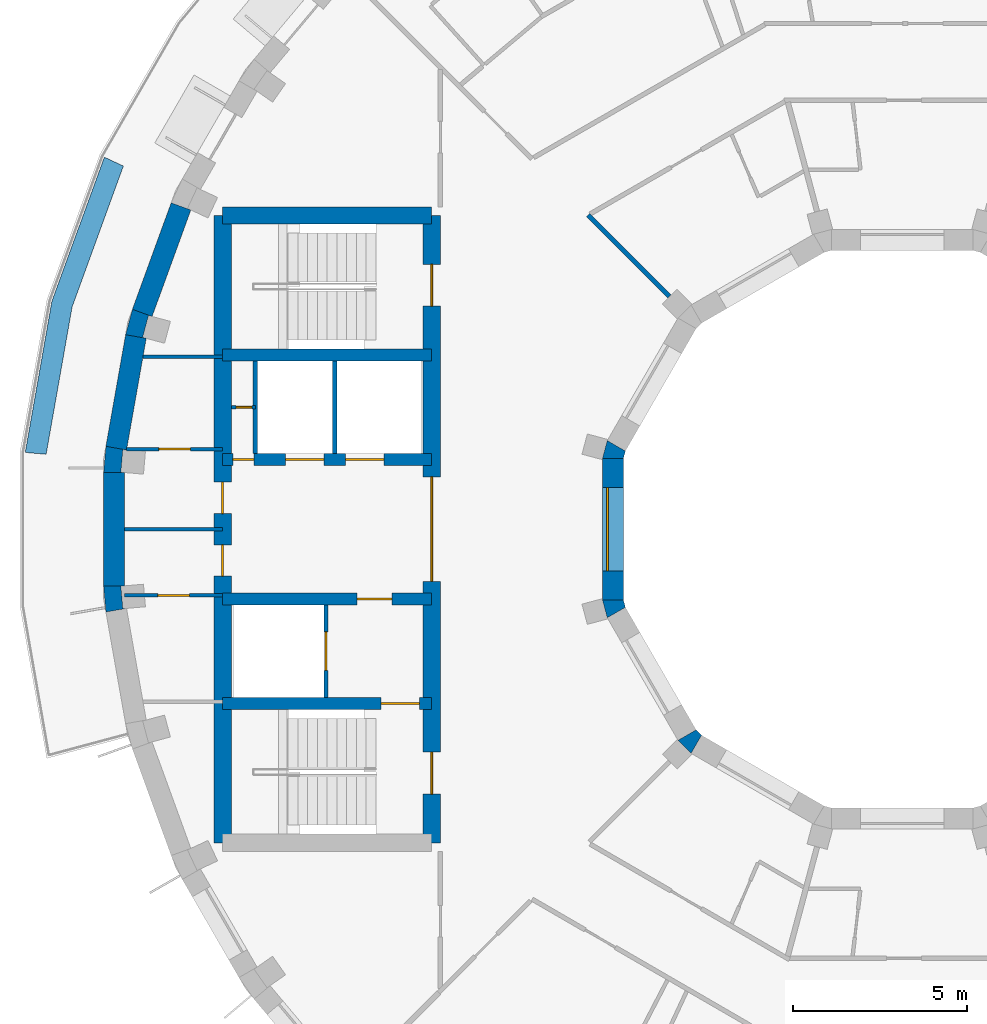
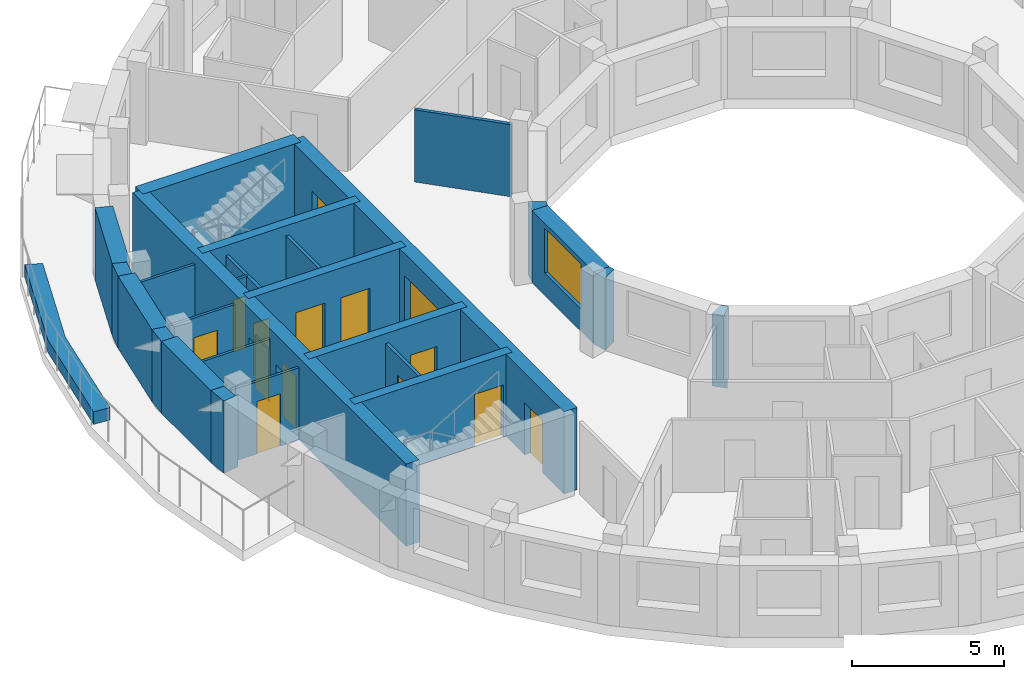
# One storey, part 4 of 10: 27 walls, 14 doors, 1 window, 15 openings.
"""IFC4 building model written with IfcOpenShell, lengths in metres."""

from ifc_helpers import new_model, si_unit, direction, frame, frame_2d, origin, place, context, subcontext, project, spatial, polyline, rectangle, outline, extrude, material, layer, layer_set, type_object, element, fill, save


model = new_model("IFC4")

# Units and contexts
model_context = context("Model", 3, precision=1e-05, world=origin(), true_north=direction((0.0, 1.0)))
body_context = subcontext(model_context, "Body", "Model", "MODEL_VIEW")
ifc_project = project(units=[si_unit("LENGTHUNIT", "METRE"), si_unit("AREAUNIT", "SQUARE_METRE"), si_unit("VOLUMEUNIT", "CUBIC_METRE"), si_unit("PLANEANGLEUNIT", "RADIAN"), si_unit("MASSUNIT", "GRAM", prefix="KILO")], contexts=[model_context])

# Site, building, storey
site_placement = place(None, origin())
site = spatial("IfcSite", under=ifc_project, at=site_placement, CompositionType="ELEMENT")
building_placement = place(site_placement, origin())
building = spatial("IfcBuilding", under=site, at=building_placement, Name="Saqina Gate Tower", CompositionType="ELEMENT")
storey_placement = place(building_placement, frame((0.0, 0.0, 246.199951171875)))
storey = spatial("IfcBuildingStorey", under=building, at=storey_placement, Name="L70", CompositionType="ELEMENT", Elevation=246.199951171875)

# Walls
ifc_material_1 = material(Name="Brick masonry (buff)", Category="masonry")
wall_type_1 = type_object("IfcWallType", Name="BRICK PIER COPING BUFF", PredefinedType="SOLIDWALL", material=ifc_material_1)
wall_1_placement = place(storey_placement, origin())
element("IfcWall", 1, at=wall_1_placement, inside=storey, type_object=wall_type_1, Name="Pier cap L70 column 17", PredefinedType="SOLIDWALL", context=body_context, shape_type="SweptSolid", body=[
    extrude(outline(polyline([(-22.281982421875, 5.579833984375), (-21.691162109375, 5.4755859375), (-21.793212890625, 5.5029296875), (-21.625, 6.130859375), (-21.52294921875, 6.103515625), (-22.0869140625, 6.30859375), (-22.281982421875, 5.579833984375)])), origin(), (0.0, 0.0, 1.0), 2.900146484375),
])
wall_2_placement = place(storey_placement, origin())
element("IfcWall", 2, at=wall_2_placement, inside=storey, type_object=wall_type_1, Name="Pier cap L70 column 18", PredefinedType="SOLIDWALL", context=body_context, shape_type="SweptSolid", body=[
    extrude(outline(polyline([(-22.8466796875, 2.377685546875), (-22.91259765625, 1.625732421875), (-22.3125, 1.625732421875), (-22.417724609375, 1.635009765625), (-22.361083984375, 2.28271484375), (-22.255859375, 2.2734375), (-22.8466796875, 2.377685546875)])), origin(), (0.0, 0.0, 1.0), 2.900146484375),
])
wall_3_placement = place(storey_placement, origin())
element("IfcWall", 3, at=wall_3_placement, inside=storey, type_object=wall_type_1, Name="Pier cap L70 column 19", PredefinedType="SOLIDWALL", context=body_context, shape_type="SweptSolid", body=[
    extrude(outline(polyline([(-22.91259765625, -1.625732421875), (-22.8466796875, -2.377685546875), (-22.255859375, -2.2734375), (-22.361083984375, -2.28271484375), (-22.417724609375, -1.635009765625), (-22.3125, -1.625732421875), (-22.91259765625, -1.625732421875)])), origin(), (0.0, 0.0, 1.0), 2.900146484375),
])

# Wall, opening, door
ifc_material_2 = material(Name="Gypsum board on steel studs", Category="steel")
ifc_layer_1 = layer(ifc_material_2, 0.10009765625)
ifc_layer_set_1 = layer_set([ifc_layer_1], Name="CORE PARTITION")
wall_type_2 = type_object("IfcWallType", Name="CORE PARTITION", PredefinedType="PARTITIONING", material=ifc_layer_set_1)
wall_4_placement = place(storey_placement, frame((-18.56005859375, 3.5, 0.0), z_axis=(0.0, 0.0, 1.0), x_axis=(-1.0, 0.0, 0.0)))
wall_4 = element("IfcWall", 4, at=wall_4_placement, inside=storey, type_object=wall_type_2, Name="L70-CP-W01", PredefinedType="PARTITIONING", context=body_context, shape_type="SweptSolid", body=[
    extrude(rectangle(XDim=0.68994140625, YDim=0.10009765625, at=frame_2d((0.344970703125, 0.0))), origin(), (0.0, 0.0, 1.0), 2.900146484375),
])
opening_1_placement = place(wall_4_placement, frame((0.10009765625, 0.0, 0.0)))
opening_1 = element("IfcOpeningElement", 5, at=opening_1_placement, cuts=wall_4, Name="Opening G20-D107", PredefinedType="OPENING", context=body_context, shape_type="SweptSolid", body=[
    extrude(rectangle(XDim=0.449951171875, YDim=2.10009765625, at=frame_2d((0.22509765625, 1.050048828125))), frame((0.0, 0.06201171875, 0.0), z_axis=(0.0, -1.0, 0.0), x_axis=(1.0, 0.0, 0.0)), (0.0, 0.0, 1.0), 0.1240234375),
])
ifc_material_3 = material(Name="Steel-framed fire door leaf, EI 60", Category="steel")
door_type_1 = type_object("IfcDoorType", Name="SERVICE ROOM DOOR 450", OperationType="SINGLE_SWING_LEFT", PredefinedType="DOOR", material=ifc_material_3)
door_1_placement = place(opening_1_placement, origin())
door_1 = element("IfcDoor", 6, at=door_1_placement, inside=storey, type_object=door_type_1, Name="L70-CD-W18", OperationType="SINGLE_SWING_RIGHT", OverallHeight=2.10009765625, OverallWidth=0.449951171875, PredefinedType="DOOR", context=body_context, shape_type="SweptSolid", body=[
    extrude(rectangle(XDim=0.449951171875, YDim=2.10009765625, at=frame_2d((0.22509765625, 1.050048828125))), frame((0.0, 0.02490234375, 0.0), z_axis=(0.0, -1.0, 0.0), x_axis=(1.0, 0.0, 0.0)), (0.0, 0.0, 1.0), 0.050048828125),
])
fill(opening_1, door_1)

# Wall
wall_5_placement = place(storey_placement, frame((-19.5, 4.949951171875, 0.0), z_axis=(0.0, 0.0, 1.0), x_axis=(-1.0, 0.0, 0.0)))
element("IfcWall", 7, at=wall_5_placement, inside=storey, type_object=wall_type_2, Name="L70-CP-W02", PredefinedType="PARTITIONING", context=body_context, shape_type="SweptSolid", body=[
    extrude(rectangle(XDim=2.283935546875, YDim=0.10009765625, at=frame_2d((1.14208984375, 0.0))), origin(), (0.0, 0.0, 1.0), 2.900146484375),
])

# Wall, opening, door
wall_6_placement = place(storey_placement, frame((-19.5, 2.300048828125, 0.0), z_axis=(0.0, 0.0, 1.0), x_axis=(-1.0, 0.0, 0.0)))
wall_6 = element("IfcWall", 8, at=wall_6_placement, inside=storey, type_object=wall_type_2, Name="L70-CP-W03", PredefinedType="PARTITIONING", context=body_context, shape_type="SweptSolid", body=[
    extrude(rectangle(XDim=2.751220703125, YDim=0.10009765625, at=frame_2d((1.37548828125, 0.0))), origin(), (0.0, 0.0, 1.0), 2.900146484375),
])
opening_2_placement = place(wall_6_placement, frame((0.925537109375, 0.0, 0.0)))
opening_2 = element("IfcOpeningElement", 9, at=opening_2_placement, cuts=wall_6, Name="Opening G20-D103", PredefinedType="OPENING", context=body_context, shape_type="SweptSolid", body=[
    extrude(rectangle(XDim=0.89990234375, YDim=2.10009765625, at=frame_2d((0.449951171875, 1.050048828125))), frame((0.0, 0.06201171875, 0.0), z_axis=(0.0, -1.0, 0.0), x_axis=(1.0, 0.0, 0.0)), (0.0, 0.0, 1.0), 0.1240234375),
])
ifc_material_4 = material(Name="Steel-framed fire door leaf, EI 60", Category="steel")
door_type_2 = type_object("IfcDoorType", Name="SERVICE ROOM DOOR 900", OperationType="SINGLE_SWING_LEFT", PredefinedType="DOOR", material=ifc_material_4)
door_2_placement = place(opening_2_placement, frame((0.89990234375, 0.0, 0.0), z_axis=(0.0, 0.0, 1.0), x_axis=(-1.0, 0.0, 0.0)))
door_2 = element("IfcDoor", 10, at=door_2_placement, inside=storey, type_object=door_type_2, Name="L70-CD-W14", OperationType="SINGLE_SWING_RIGHT", OverallHeight=2.10009765625, OverallWidth=0.89990234375, PredefinedType="DOOR", context=body_context, shape_type="SweptSolid", body=[
    extrude(rectangle(XDim=0.89990234375, YDim=2.10009765625, at=frame_2d((0.449951171875, 1.050048828125))), frame((0.0, 0.02490234375, 0.0), z_axis=(0.0, -1.0, 0.0), x_axis=(1.0, 0.0, 0.0)), (0.0, 0.0, 1.0), 0.050048828125),
])
fill(opening_2, door_2)

wall_7_placement = place(storey_placement, frame((-19.5, -1.89990234375, 0.0), z_axis=(0.0, 0.0, 1.0), x_axis=(-1.0, 0.0, 0.0)))
wall_7 = element("IfcWall", 11, at=wall_7_placement, inside=storey, type_object=wall_type_2, Name="L70-CP-W05", PredefinedType="PARTITIONING", context=body_context, shape_type="SweptSolid", body=[
    extrude(rectangle(XDim=2.8125, YDim=0.10009765625, at=frame_2d((1.40625, 0.0))), origin(), (0.0, 0.0, 1.0), 2.900146484375),
])
opening_3_placement = place(wall_7_placement, frame((0.956298828125, 0.0, 0.0)))
opening_3 = element("IfcOpeningElement", 12, at=opening_3_placement, cuts=wall_7, Name="Opening G20-D105", PredefinedType="OPENING", context=body_context, shape_type="SweptSolid", body=[
    extrude(rectangle(XDim=0.89990234375, YDim=2.10009765625, at=frame_2d((0.449951171875, 1.050048828125))), frame((0.0, 0.06201171875, 0.0), z_axis=(0.0, -1.0, 0.0), x_axis=(1.0, 0.0, 0.0)), (0.0, 0.0, 1.0), 0.1240234375),
])
door_3_placement = place(opening_3_placement, origin())
door_3 = element("IfcDoor", 13, at=door_3_placement, inside=storey, type_object=door_type_2, Name="L70-CD-W16", OperationType="SINGLE_SWING_RIGHT", OverallHeight=2.10009765625, OverallWidth=0.89990234375, PredefinedType="DOOR", context=body_context, shape_type="SweptSolid", body=[
    extrude(rectangle(XDim=0.89990234375, YDim=2.10009765625, at=frame_2d((0.449951171875, 1.050048828125))), frame((0.0, 0.02490234375, 0.0), z_axis=(0.0, -1.0, 0.0), x_axis=(1.0, 0.0, 0.0)), (0.0, 0.0, 1.0), 0.050048828125),
])
fill(opening_3, door_3)

# Walls
wall_8_placement = place(storey_placement, frame((-19.5, 0.0, 0.0), z_axis=(0.0, 0.0, 1.0), x_axis=(-1.0, 0.0, 0.0)))
element("IfcWall", 14, at=wall_8_placement, inside=storey, type_object=wall_type_2, Name="L70-CP-W06", PredefinedType="PARTITIONING", context=body_context, shape_type="SweptSolid", body=[
    extrude(rectangle(XDim=2.8125, YDim=0.10009765625, at=frame_2d((1.40625, 0.0))), origin(), (0.0, 0.0, 1.0), 2.900146484375),
])
ifc_material_5 = material(Name="Glazed ceramic tile", Category="ceramic")
ifc_layer_2 = layer(ifc_material_5, 0.60009765625)
ifc_layer_set_2 = layer_set([ifc_layer_2], Name="FW-TILE")
wall_type_3 = type_object("IfcWallType", Name="FW-TILE", PredefinedType="SOLIDWALL", material=ifc_layer_set_2)
wall_9_placement = place(storey_placement, frame((-21.986572265625, 5.52783203125, 0.0), z_axis=(0.0, 0.0, 1.0), x_axis=(-0.173656842178, -0.984806225186, 0.0)))
element("IfcWall", 15, at=wall_9_placement, inside=storey, type_object=wall_type_3, Name="Facade wall L70 facet 17", PredefinedType="SOLIDWALL", context=body_context, shape_type="SweptSolid", body=[
    extrude(rectangle(XDim=3.251708984375, YDim=0.60009765625, at=frame_2d((1.6259765625, 0.0))), origin(), (0.0, 0.0, 1.0), 2.900146484375),
])
ifc_material_6 = material(Name="Glazed ceramic tile (dark blue)", Category="ceramic")
ifc_layer_3 = layer(ifc_material_6, 0.60009765625)
ifc_layer_set_3 = layer_set([ifc_layer_3], Name="FW-TILE-CB")
wall_type_4 = type_object("IfcWallType", Name="FW-TILE-CB", PredefinedType="SOLIDWALL", material=ifc_layer_set_3)
wall_10_placement = place(storey_placement, frame((-20.692626953125, 9.26171875, 0.0), z_axis=(0.0, 0.0, 1.0), x_axis=(-0.342056509473, -0.939679383794, 0.0)))
element("IfcWall", 16, at=wall_10_placement, inside=storey, type_object=wall_type_4, Name="Facade wall L70 facet 16", PredefinedType="SOLIDWALL", context=body_context, shape_type="SweptSolid", body=[
    extrude(rectangle(XDim=3.251708984375, YDim=0.60009765625, at=frame_2d((1.6259765625, 0.0))), origin(), (0.0, 0.0, 1.0), 2.900146484375),
])
ifc_material_7 = material(Name="Glazed ceramic tile (white)", Category="ceramic")
ifc_layer_4 = layer(ifc_material_7, 0.60009765625)
ifc_layer_set_4 = layer_set([ifc_layer_4], Name="FW-TILE-WH")
wall_type_5 = type_object("IfcWallType", Name="FW-TILE-WH", PredefinedType="SOLIDWALL", material=ifc_layer_set_4)
wall_11_placement = place(storey_placement, frame((-22.612548828125, 1.625732421875, 0.0), z_axis=(0.0, 0.0, 1.0), x_axis=(0.0, -1.0, 0.0)))
element("IfcWall", 17, at=wall_11_placement, inside=storey, type_object=wall_type_5, Name="Facade wall L70 facet 18", PredefinedType="SOLIDWALL", context=body_context, shape_type="SweptSolid", body=[
    extrude(rectangle(XDim=3.25146484375, YDim=0.60009765625, at=frame_2d((1.625732421875, 0.0))), origin(), (0.0, 0.0, 1.0), 2.900146484375),
])

# Wall, opening, window
ifc_material_8 = material(Name="Glazed ceramic tile", Category="ceramic")
ifc_layer_5 = layer(ifc_material_8, 0.60009765625)
ifc_layer_set_5 = layer_set([ifc_layer_5], Name="IW-TILE")
wall_type_6 = type_object("IfcWallType", Name="IW-TILE", PredefinedType="SOLIDWALL", material=ifc_layer_set_5)
wall_12_placement = place(storey_placement, frame((-8.300048828125, 2.029296875, 0.0), z_axis=(0.0, 0.0, 1.0), x_axis=(0.0, -1.0, 0.0)))
wall_12 = element("IfcWall", 18, at=wall_12_placement, inside=storey, type_object=wall_type_6, Name="Well wall L70 facet 6", PredefinedType="SOLIDWALL", context=body_context, shape_type="SweptSolid", body=[
    extrude(rectangle(XDim=4.05859375, YDim=0.60009765625, at=frame_2d((2.029296875, 0.0))), origin(), (0.0, 0.0, 1.0), 2.900146484375),
])
opening_4_placement = place(wall_12_placement, frame((0.829345703125, 0.0, 0.89990234375)))
opening_4 = element("IfcOpeningElement", 19, at=opening_4_placement, cuts=wall_12, Name="Opening G20-W30", PredefinedType="OPENING", context=body_context, shape_type="SweptSolid", body=[
    extrude(rectangle(XDim=2.39990234375, YDim=1.800048828125, at=frame_2d((1.199951171875, 0.89990234375))), frame((0.0, 0.31201171875, 0.0), z_axis=(0.0, -1.0, 0.0), x_axis=(1.0, 0.0, 0.0)), (0.0, 0.0, 1.0), 0.6240234375),
])
ifc_material_9 = material(Name="Aluminium glazing", Category="aluminium")
window_type = type_object("IfcWindowType", Name="WN-W", PartitioningType="SINGLE_PANEL", PredefinedType="WINDOW", material=ifc_material_9)
window_placement = place(opening_4_placement, origin())
window = element("IfcWindow", 20, at=window_placement, inside=storey, type_object=window_type, Name="Well window L70 facet 6", OverallHeight=1.800048828125, OverallWidth=2.39990234375, PartitioningType="SINGLE_PANEL", PredefinedType="WINDOW", context=body_context, shape_type="SweptSolid", body=[
    extrude(rectangle(XDim=2.39990234375, YDim=1.800048828125, at=frame_2d((1.199951171875, 0.89990234375))), frame((0.0, -0.119873046875, 0.0), z_axis=(0.0, -1.0, 0.0), x_axis=(1.0, 0.0, 0.0)), (0.0, 0.0, 1.0), 0.06005859375),
])
fill(opening_4, window)

# Walls
ifc_material_10 = material(Name="Gypsum board on steel studs, 125 mm, fire rated", Category="steel")
ifc_layer_6 = layer(ifc_material_10, 0.125)
ifc_layer_set_6 = layer_set([ifc_layer_6], Name="PARTITION EI 30 125")
wall_type_7 = type_object("IfcWallType", Name="PARTITION EI 30 125", PredefinedType="PARTITIONING", material=ifc_layer_set_6)
wall_13_placement = place(storey_placement, frame((-9.011962890625, 9.011962890625, 0.0), z_axis=(0.0, 0.0, 1.0), x_axis=(0.707106781187, -0.707106781187, 0.0)))
element("IfcWall", 21, at=wall_13_placement, inside=storey, type_object=wall_type_7, Name="PARTITION PW1-07", PredefinedType="PARTITIONING", context=body_context, shape_type="SweptSolid", body=[
    extrude(rectangle(XDim=3.302490234375, YDim=0.125, at=frame_2d((1.6513671875, 0.0))), origin(), (0.0, 0.0, 1.0), 2.900146484375),
])
ifc_material_11 = material(Name="Brick masonry (red)", Category="masonry")
ifc_layer_7 = layer(ifc_material_11, 0.60009765625)
ifc_layer_set_7 = layer_set([ifc_layer_7], Name="PL-PLANTER")
wall_type_8 = type_object("IfcWallType", Name="PL-PLANTER", PredefinedType="PARAPET", material=ifc_layer_set_7)
wall_14_placement = place(storey_placement, origin())
element("IfcWall", 22, at=wall_14_placement, inside=storey, type_object=wall_type_8, Name="Planter L70", PredefinedType="PARAPET", context=body_context, shape_type="SweptSolid", body=[
    extrude(outline(polyline([(-22.89208984375, 10.6748046875), (-24.39794921875, 6.537353515625), (-25.16259765625, 2.201416015625), (-24.5625, 2.14892578125), (-23.816162109375, 6.381591796875), (-22.34619140625, 10.420166015625), (-22.89208984375, 10.6748046875)])), origin(), (0.0, 0.0, 1.0), 0.5),
])
ifc_material_12 = material(Name="Autoclaved aerated concrete block", Category="concrete")
ifc_layer_8 = layer(ifc_material_12, 0.1201171875)
ifc_layer_set_8 = layer_set([ifc_layer_8], Name="SHAFT PARTITION")
wall_type_9 = type_object("IfcWallType", Name="SHAFT PARTITION", PredefinedType="PARTITIONING", material=ifc_layer_set_8)
for number, where, z_axis, x_axis, name in (
    (23, (-16.280029296875, 2.175048828125, 0.0), (0.0, 0.0, 1.0), (0.0, 1.0, 0.0), "L70-CP-W07"),
    (24, (-18.56005859375, 2.175048828125, 0.0), (0.0, 0.0, 1.0), (0.0, 1.0, 0.0), "L70-CP-W08"),
):
    element("IfcWall", number, at=place(storey_placement, frame(where, z_axis=z_axis, x_axis=x_axis)), inside=storey, type_object=wall_type_9, Name=name, PredefinedType="PARTITIONING", context=body_context, shape_type="SweptSolid", body=[
        extrude(rectangle(XDim=2.64990234375, YDim=0.1201171875, at=frame_2d((1.324951171875, 0.0))), origin(), (0.0, 0.0, 1.0), 2.900146484375),
    ])

# Wall, opening, door
wall_15_placement = place(storey_placement, frame((-16.530029296875, -4.824951171875, 0.0), z_axis=(0.0, 0.0, 1.0), x_axis=(0.0, 1.0, 0.0)))
wall_15 = element("IfcWall", 25, at=wall_15_placement, inside=storey, type_object=wall_type_9, Name="L70-CP-W09", PredefinedType="PARTITIONING", context=body_context, shape_type="SweptSolid", body=[
    extrude(rectangle(XDim=2.64990234375, YDim=0.1201171875, at=frame_2d((1.324951171875, 0.0))), origin(), (0.0, 0.0, 1.0), 2.900146484375),
])
opening_5_placement = place(wall_15_placement, frame((0.77490234375, 0.0, 0.0)))
opening_5 = element("IfcOpeningElement", 26, at=opening_5_placement, cuts=wall_15, Name="Opening G20-LD6", PredefinedType="OPENING", context=body_context, shape_type="SweptSolid", body=[
    extrude(rectangle(XDim=1.10009765625, YDim=2.10009765625, at=frame_2d((0.550048828125, 1.050048828125))), frame((0.0, 0.072021484375, 0.0), z_axis=(0.0, -1.0, 0.0), x_axis=(1.0, 0.0, 0.0)), (0.0, 0.0, 1.0), 0.14404296875),
])
ifc_material_13 = material(Name="Stainless steel", Category="steel")
door_type_3 = type_object("IfcDoorType", Name="LANDING DOOR", OperationType="DOUBLE_DOOR_SLIDING", PredefinedType="DOOR", material=ifc_material_13)
door_4_placement = place(opening_5_placement, origin())
door_4 = element("IfcDoor", 27, at=door_4_placement, inside=storey, type_object=door_type_3, Name="LANDING DOOR FF2", OperationType="DOUBLE_DOOR_SLIDING", OverallHeight=2.10009765625, OverallWidth=1.10009765625, PredefinedType="DOOR", context=body_context, shape_type="SweptSolid", body=[
    extrude(rectangle(XDim=1.10009765625, YDim=2.10009765625, at=frame_2d((0.550048828125, 1.050048828125))), frame((0.0, 0.02490234375, 0.0), z_axis=(0.0, -1.0, 0.0), x_axis=(1.0, 0.0, 0.0)), (0.0, 0.0, 1.0), 0.050048828125),
])
fill(opening_5, door_4)

# Wall
ifc_material_14 = material(Name="Concrete C60/75", Category="concrete")
ifc_layer_9 = layer(ifc_material_14, 0.35009765625)
ifc_layer_set_9 = layer_set([ifc_layer_9], Name="Concrete C60/75")
wall_type_10 = type_object("IfcWallType", Name="STR-CORE WALL-D-I", PredefinedType="SHEAR", material=ifc_layer_set_9)
wall_16_placement = place(storey_placement, frame((-13.5, 5.0, 0.0), z_axis=(0.0, 0.0, 1.0), x_axis=(-1.0, 0.0, 0.0)))
element("IfcWall", 28, at=wall_16_placement, inside=storey, type_object=wall_type_10, Name="CORE WALL L70 W-X1", PredefinedType="SHEAR", context=body_context, shape_type="SweptSolid", body=[
    extrude(rectangle(XDim=6.0, YDim=0.35009765625, at=frame_2d((3.0, 0.0))), origin(), (0.0, 0.0, 1.0), 3.300048828125),
])

# Wall, opening, door
wall_17_placement = place(storey_placement, frame((-13.5, -5.0, 0.0), z_axis=(0.0, 0.0, 1.0), x_axis=(-1.0, 0.0, 0.0)))
wall_17 = element("IfcWall", 29, at=wall_17_placement, inside=storey, type_object=wall_type_10, Name="CORE WALL L70 W-X2", PredefinedType="SHEAR", context=body_context, shape_type="SweptSolid", body=[
    extrude(rectangle(XDim=6.0, YDim=0.35009765625, at=frame_2d((3.0, 0.0))), origin(), (0.0, 0.0, 1.0), 3.300048828125),
])
opening_6_placement = place(wall_17_placement, frame((0.35009765625, 0.0, 0.0)))
opening_6 = element("IfcOpeningElement", 30, at=opening_6_placement, cuts=wall_17, Name="Opening G20-D108", PredefinedType="OPENING", context=body_context, shape_type="SweptSolid", body=[
    extrude(rectangle(XDim=1.10009765625, YDim=2.10009765625, at=frame_2d((0.550048828125, 1.050048828125))), frame((0.0, 0.18701171875, 0.0), z_axis=(0.0, -1.0, 0.0), x_axis=(1.0, 0.0, 0.0)), (0.0, 0.0, 1.0), 0.3740234375),
])
ifc_material_15 = material(Name="Steel", Category="steel")
door_type_4 = type_object("IfcDoorType", Name="FIRE LOBBY DOOR EI 60 WIDE", OperationType="SINGLE_SWING_LEFT", PredefinedType="DOOR", material=ifc_material_15)
door_5_placement = place(opening_6_placement, origin())
door_5 = element("IfcDoor", 31, at=door_5_placement, inside=storey, type_object=door_type_4, Name="L70-CD-W19", OperationType="SINGLE_SWING_LEFT", OverallHeight=2.10009765625, OverallWidth=1.10009765625, PredefinedType="DOOR", context=body_context, shape_type="SweptSolid", body=[
    extrude(rectangle(XDim=1.10009765625, YDim=2.10009765625, at=frame_2d((0.550048828125, 1.050048828125))), frame((0.0, 0.02490234375, 0.0), z_axis=(0.0, -1.0, 0.0), x_axis=(1.0, 0.0, 0.0)), (0.0, 0.0, 1.0), 0.050048828125),
])
fill(opening_6, door_5)

# Wall, openings, doors
wall_18_placement = place(storey_placement, frame((-13.5, 2.0, 0.0), z_axis=(0.0, 0.0, 1.0), x_axis=(-1.0, 0.0, 0.0)))
wall_18 = element("IfcWall", 32, at=wall_18_placement, inside=storey, type_object=wall_type_10, Name="CORE WALL L70 W-L1", PredefinedType="SHEAR", context=body_context, shape_type="SweptSolid", body=[
    extrude(rectangle(XDim=6.0, YDim=0.35009765625, at=frame_2d((3.0, 0.0))), origin(), (0.0, 0.0, 1.0), 3.300048828125),
])
opening_7_placement = place(wall_18_placement, frame((1.3701171875, 0.0, 0.0)))
opening_7 = element("IfcOpeningElement", 33, at=opening_7_placement, cuts=wall_18, Name="Opening G20-LD4", PredefinedType="OPENING", context=body_context, shape_type="SweptSolid", body=[
    extrude(rectangle(XDim=1.10009765625, YDim=2.10009765625, at=frame_2d((0.550048828125, 1.050048828125))), frame((0.0, 0.18701171875, 0.0), z_axis=(0.0, -1.0, 0.0), x_axis=(1.0, 0.0, 0.0)), (0.0, 0.0, 1.0), 0.3740234375),
])
opening_8_placement = place(wall_18_placement, frame((3.090087890625, 0.0, 0.0)))
opening_8 = element("IfcOpeningElement", 34, at=opening_8_placement, cuts=wall_18, Name="Opening G20-LD5", PredefinedType="OPENING", context=body_context, shape_type="SweptSolid", body=[
    extrude(rectangle(XDim=1.10009765625, YDim=2.10009765625, at=frame_2d((0.550048828125, 1.050048828125))), frame((0.0, 0.18701171875, 0.0), z_axis=(0.0, -1.0, 0.0), x_axis=(1.0, 0.0, 0.0)), (0.0, 0.0, 1.0), 0.3740234375),
])
opening_9_placement = place(wall_18_placement, frame((5.10498046875, 0.0, 0.0)))
opening_9 = element("IfcOpeningElement", 35, at=opening_9_placement, cuts=wall_18, Name="Opening G20-D101", PredefinedType="OPENING", context=body_context, shape_type="SweptSolid", body=[
    extrude(rectangle(XDim=0.60009765625, YDim=2.10009765625, at=frame_2d((0.300048828125, 1.050048828125))), frame((0.0, 0.18701171875, 0.0), z_axis=(0.0, -1.0, 0.0), x_axis=(1.0, 0.0, 0.0)), (0.0, 0.0, 1.0), 0.3740234375),
])
door_6_placement = place(opening_7_placement, origin())
door_6 = element("IfcDoor", 36, at=door_6_placement, inside=storey, type_object=door_type_3, Name="LANDING DOOR HR3", OperationType="DOUBLE_DOOR_SLIDING", OverallHeight=2.10009765625, OverallWidth=1.10009765625, PredefinedType="DOOR", context=body_context, shape_type="SweptSolid", body=[
    extrude(rectangle(XDim=1.10009765625, YDim=2.10009765625, at=frame_2d((0.550048828125, 1.050048828125))), frame((0.0, 0.02490234375, 0.0), z_axis=(0.0, -1.0, 0.0), x_axis=(1.0, 0.0, 0.0)), (0.0, 0.0, 1.0), 0.050048828125),
])
fill(opening_7, door_6)
door_7_placement = place(opening_8_placement, origin())
door_7 = element("IfcDoor", 37, at=door_7_placement, inside=storey, type_object=door_type_3, Name="LANDING DOOR HR4", OperationType="DOUBLE_DOOR_SLIDING", OverallHeight=2.10009765625, OverallWidth=1.10009765625, PredefinedType="DOOR", context=body_context, shape_type="SweptSolid", body=[
    extrude(rectangle(XDim=1.10009765625, YDim=2.10009765625, at=frame_2d((0.550048828125, 1.050048828125))), frame((0.0, 0.02490234375, 0.0), z_axis=(0.0, -1.0, 0.0), x_axis=(1.0, 0.0, 0.0)), (0.0, 0.0, 1.0), 0.050048828125),
])
fill(opening_8, door_7)
ifc_material_16 = material(Name="Steel-framed fire door leaf, EI 60", Category="steel")
door_type_5 = type_object("IfcDoorType", Name="SERVICE ROOM DOOR 600", OperationType="SINGLE_SWING_LEFT", PredefinedType="DOOR", material=ifc_material_16)
door_8_placement = place(opening_9_placement, frame((0.60009765625, 0.0, 0.0), z_axis=(0.0, 0.0, 1.0), x_axis=(-1.0, 0.0, 0.0)))
door_8 = element("IfcDoor", 38, at=door_8_placement, inside=storey, type_object=door_type_5, Name="L70-CD-W12", OperationType="SINGLE_SWING_LEFT", OverallHeight=2.10009765625, OverallWidth=0.60009765625, PredefinedType="DOOR", context=body_context, shape_type="SweptSolid", body=[
    extrude(rectangle(XDim=0.60009765625, YDim=2.10009765625, at=frame_2d((0.300048828125, 1.050048828125))), frame((0.0, 0.02490234375, 0.0), z_axis=(0.0, -1.0, 0.0), x_axis=(1.0, 0.0, 0.0)), (0.0, 0.0, 1.0), 0.050048828125),
])
fill(opening_9, door_8)

# Wall, opening, door
wall_19_placement = place(storey_placement, frame((-13.5, -2.0, 0.0), z_axis=(0.0, 0.0, 1.0), x_axis=(-1.0, 0.0, 0.0)))
wall_19 = element("IfcWall", 39, at=wall_19_placement, inside=storey, type_object=wall_type_10, Name="CORE WALL L70 W-L2", PredefinedType="SHEAR", context=body_context, shape_type="SweptSolid", body=[
    extrude(rectangle(XDim=6.0, YDim=0.35009765625, at=frame_2d((3.0, 0.0))), origin(), (0.0, 0.0, 1.0), 3.300048828125),
])
opening_10_placement = place(wall_19_placement, frame((1.139892578125, 0.0, 0.0)))
opening_10 = element("IfcOpeningElement", 40, at=opening_10_placement, cuts=wall_19, Name="Opening G20-D102", PredefinedType="OPENING", context=body_context, shape_type="SweptSolid", body=[
    extrude(rectangle(XDim=1.0, YDim=2.10009765625, at=frame_2d((0.5, 1.050048828125))), frame((0.0, 0.18701171875, 0.0), z_axis=(0.0, -1.0, 0.0), x_axis=(1.0, 0.0, 0.0)), (0.0, 0.0, 1.0), 0.3740234375),
])
ifc_material_17 = material(Name="Steel", Category="steel")
door_type_6 = type_object("IfcDoorType", Name="FIRE LOBBY DOOR EI 60", OperationType="SINGLE_SWING_LEFT", PredefinedType="DOOR", material=ifc_material_17)
door_9_placement = place(opening_10_placement, frame((1.0, 0.0, 0.0), z_axis=(0.0, 0.0, 1.0), x_axis=(-1.0, 0.0, 0.0)))
door_9 = element("IfcDoor", 41, at=door_9_placement, inside=storey, type_object=door_type_6, Name="L70-CD-W13", OperationType="SINGLE_SWING_RIGHT", OverallHeight=2.10009765625, OverallWidth=1.0, PredefinedType="DOOR", context=body_context, shape_type="SweptSolid", body=[
    extrude(rectangle(XDim=1.0, YDim=2.10009765625, at=frame_2d((0.5, 1.050048828125))), frame((0.0, 0.02490234375, 0.0), z_axis=(0.0, -1.0, 0.0), x_axis=(1.0, 0.0, 0.0)), (0.0, 0.0, 1.0), 0.050048828125),
])
fill(opening_10, door_9)

# Wall, openings, doors
ifc_material_18 = material(Name="Concrete C60/75", Category="concrete")
ifc_layer_10 = layer(ifc_material_18, 0.5)
ifc_layer_set_10 = layer_set([ifc_layer_10], Name="Concrete C60/75")
wall_type_11 = type_object("IfcWallType", Name="STR-CORE WALL-D-O", PredefinedType="SHEAR", material=ifc_layer_set_10)
wall_20_placement = place(storey_placement, frame((-13.5, -9.0, 0.0), z_axis=(0.0, 0.0, 1.0), x_axis=(0.0, 1.0, 0.0)))
wall_20 = element("IfcWall", 42, at=wall_20_placement, inside=storey, type_object=wall_type_11, Name="CORE WALL L70 W-W1", PredefinedType="SHEAR", context=body_context, shape_type="SweptSolid", body=[
    extrude(rectangle(XDim=18.0, YDim=0.5, at=frame_2d((9.0, 0.0))), origin(), (0.0, 0.0, 1.0), 3.300048828125),
])
opening_11_placement = place(wall_20_placement, frame((15.39990234375, 0.0, 0.0)))
opening_11 = element("IfcOpeningElement", 43, at=opening_11_placement, cuts=wall_20, Name="Opening G20-D109", PredefinedType="OPENING", context=body_context, shape_type="SweptSolid", body=[
    extrude(rectangle(XDim=1.199951171875, YDim=2.10009765625, at=frame_2d((0.60009765625, 1.050048828125))), frame((0.0, 0.261962890625, 0.0), z_axis=(0.0, -1.0, 0.0), x_axis=(1.0, 0.0, 0.0)), (0.0, 0.0, 1.0), 0.52392578125),
])
opening_12_placement = place(wall_20_placement, frame((1.39990234375, 0.0, 0.0)))
opening_12 = element("IfcOpeningElement", 44, at=opening_12_placement, cuts=wall_20, Name="Opening G20-D110", PredefinedType="OPENING", context=body_context, shape_type="SweptSolid", body=[
    extrude(rectangle(XDim=1.199951171875, YDim=2.10009765625, at=frame_2d((0.60009765625, 1.050048828125))), frame((0.0, 0.261962890625, 0.0), z_axis=(0.0, -1.0, 0.0), x_axis=(1.0, 0.0, 0.0)), (0.0, 0.0, 1.0), 0.52392578125),
])
opening_13_placement = place(wall_20_placement, frame((7.5, 0.0, 0.0)))
opening_13 = element("IfcOpeningElement", 45, at=opening_13_placement, cuts=wall_20, Name="Opening G20-D111", PredefinedType="OPENING", context=body_context, shape_type="SweptSolid", body=[
    extrude(rectangle(XDim=3.0, YDim=2.39990234375, at=frame_2d((1.5, 1.199951171875))), frame((0.0, 0.261962890625, 0.0), z_axis=(0.0, -1.0, 0.0), x_axis=(1.0, 0.0, 0.0)), (0.0, 0.0, 1.0), 0.52392578125),
])
ifc_material_19 = material(Name="Steel", Category="steel")
door_type_7 = type_object("IfcDoorType", Name="FIRE DOOR EI 60", OperationType="SINGLE_SWING_LEFT", PredefinedType="DOOR", material=ifc_material_19)
door_10_placement = place(opening_11_placement, origin())
door_10 = element("IfcDoor", 46, at=door_10_placement, inside=storey, type_object=door_type_7, Name="L70-CD-W20", OperationType="SINGLE_SWING_RIGHT", OverallHeight=2.10009765625, OverallWidth=1.199951171875, PredefinedType="DOOR", context=body_context, shape_type="SweptSolid", body=[
    extrude(rectangle(XDim=1.199951171875, YDim=2.10009765625, at=frame_2d((0.60009765625, 1.050048828125))), frame((0.0, 0.02490234375, 0.0), z_axis=(0.0, -1.0, 0.0), x_axis=(1.0, 0.0, 0.0)), (0.0, 0.0, 1.0), 0.050048828125),
])
fill(opening_11, door_10)
door_11_placement = place(opening_12_placement, origin())
door_11 = element("IfcDoor", 47, at=door_11_placement, inside=storey, type_object=door_type_7, Name="L70-CD-W21", OperationType="SINGLE_SWING_LEFT", OverallHeight=2.10009765625, OverallWidth=1.199951171875, PredefinedType="DOOR", context=body_context, shape_type="SweptSolid", body=[
    extrude(rectangle(XDim=1.199951171875, YDim=2.10009765625, at=frame_2d((0.60009765625, 1.050048828125))), frame((0.0, 0.02490234375, 0.0), z_axis=(0.0, -1.0, 0.0), x_axis=(1.0, 0.0, 0.0)), (0.0, 0.0, 1.0), 0.050048828125),
])
fill(opening_12, door_11)
ifc_material_20 = material(Name="Steel and fire-resisting glass", Category="steel")
door_type_8 = type_object("IfcDoorType", Name="LOBBY SCREEN DOOR", OperationType="DOUBLE_DOOR_SLIDING", PredefinedType="DOOR", material=ifc_material_20)
door_12_placement = place(opening_13_placement, origin())
door_12 = element("IfcDoor", 48, at=door_12_placement, inside=storey, type_object=door_type_8, Name="L70-CD-W22", OperationType="DOUBLE_DOOR_SLIDING", OverallHeight=2.39990234375, OverallWidth=3.0, PredefinedType="DOOR", context=body_context, shape_type="SweptSolid", body=[
    extrude(rectangle(XDim=3.0, YDim=2.39990234375, at=frame_2d((1.5, 1.199951171875))), frame((0.0, 0.02490234375, 0.0), z_axis=(0.0, -1.0, 0.0), x_axis=(1.0, 0.0, 0.0)), (0.0, 0.0, 1.0), 0.050048828125),
])
fill(opening_13, door_12)

wall_21_placement = place(storey_placement, frame((-19.5, -9.0, 0.0), z_axis=(0.0, 0.0, 1.0), x_axis=(0.0, 1.0, 0.0)))
wall_21 = element("IfcWall", 49, at=wall_21_placement, inside=storey, type_object=wall_type_11, Name="CORE WALL L70 W-W2", PredefinedType="SHEAR", context=body_context, shape_type="SweptSolid", body=[
    extrude(rectangle(XDim=18.0, YDim=0.5, at=frame_2d((9.0, 0.0))), origin(), (0.0, 0.0, 1.0), 3.300048828125),
])
opening_14_placement = place(wall_21_placement, frame((9.449951171875, 0.0, 0.0)))
opening_14 = element("IfcOpeningElement", 50, at=opening_14_placement, cuts=wall_21, Name="Opening G20-D104", PredefinedType="OPENING", context=body_context, shape_type="SweptSolid", body=[
    extrude(rectangle(XDim=0.89990234375, YDim=2.10009765625, at=frame_2d((0.449951171875, 1.050048828125))), frame((0.0, 0.261962890625, 0.0), z_axis=(0.0, -1.0, 0.0), x_axis=(1.0, 0.0, 0.0)), (0.0, 0.0, 1.0), 0.52392578125),
])
opening_15_placement = place(wall_21_placement, frame((7.64990234375, 0.0, 0.0)))
opening_15 = element("IfcOpeningElement", 51, at=opening_15_placement, cuts=wall_21, Name="Opening G20-D106", PredefinedType="OPENING", context=body_context, shape_type="SweptSolid", body=[
    extrude(rectangle(XDim=0.89990234375, YDim=2.10009765625, at=frame_2d((0.449951171875, 1.050048828125))), frame((0.0, 0.261962890625, 0.0), z_axis=(0.0, -1.0, 0.0), x_axis=(1.0, 0.0, 0.0)), (0.0, 0.0, 1.0), 0.52392578125),
])
door_13_placement = place(opening_14_placement, origin())
door_13 = element("IfcDoor", 52, at=door_13_placement, inside=storey, type_object=door_type_2, Name="L70-CD-W15", OperationType="SINGLE_SWING_LEFT", OverallHeight=2.10009765625, OverallWidth=0.89990234375, PredefinedType="DOOR", context=body_context, shape_type="SweptSolid", body=[
    extrude(rectangle(XDim=0.89990234375, YDim=2.10009765625, at=frame_2d((0.449951171875, 1.050048828125))), frame((0.0, 0.02490234375, 0.0), z_axis=(0.0, -1.0, 0.0), x_axis=(1.0, 0.0, 0.0)), (0.0, 0.0, 1.0), 0.050048828125),
])
fill(opening_14, door_13)
door_14_placement = place(opening_15_placement, origin())
door_14 = element("IfcDoor", 53, at=door_14_placement, inside=storey, type_object=door_type_2, Name="L70-CD-W17", OperationType="SINGLE_SWING_LEFT", OverallHeight=2.10009765625, OverallWidth=0.89990234375, PredefinedType="DOOR", context=body_context, shape_type="SweptSolid", body=[
    extrude(rectangle(XDim=0.89990234375, YDim=2.10009765625, at=frame_2d((0.449951171875, 1.050048828125))), frame((0.0, 0.02490234375, 0.0), z_axis=(0.0, -1.0, 0.0), x_axis=(1.0, 0.0, 0.0)), (0.0, 0.0, 1.0), 0.050048828125),
])
fill(opening_15, door_14)

# Walls
wall_22_placement = place(storey_placement, frame((-13.5, 9.0, 0.0), z_axis=(0.0, 0.0, 1.0), x_axis=(-1.0, 0.0, 0.0)))
element("IfcWall", 54, at=wall_22_placement, inside=storey, type_object=wall_type_11, Name="CORE WALL L70 W-NE", PredefinedType="SHEAR", context=body_context, shape_type="SweptSolid", body=[
    extrude(rectangle(XDim=6.0, YDim=0.5, at=frame_2d((3.0, 0.0))), origin(), (0.0, 0.0, 1.0), 3.300048828125),
])
ifc_material_21 = material(Name="Glazed ceramic tile", Category="ceramic")
wall_type_12 = type_object("IfcWallType", Name="TILE PIER COPING", PredefinedType="SOLIDWALL", material=ifc_material_21)
wall_23_placement = place(storey_placement, origin())
element("IfcWall", 55, at=wall_23_placement, inside=storey, type_object=wall_type_12, Name="Well pier cap L70 column 6", PredefinedType="SOLIDWALL", context=body_context, shape_type="SweptSolid", body=[
    extrude(outline(polyline([(-8.60009765625, 2.029296875), (-8.0, 2.029296875), (-7.94287109375, 2.242431640625), (-8.46240234375, 2.54248046875), (-8.60009765625, 2.029296875)])), origin(), (0.0, 0.0, 1.0), 2.900146484375),
])
wall_24_placement = place(storey_placement, origin())
element("IfcWall", 56, at=wall_24_placement, inside=storey, type_object=wall_type_12, Name="Well pier cap L70 column 7", PredefinedType="SOLIDWALL", context=body_context, shape_type="SweptSolid", body=[
    extrude(outline(polyline([(-8.46240234375, -2.54248046875), (-7.94287109375, -2.242431640625), (-8.0, -2.029296875), (-8.60009765625, -2.029296875), (-8.46240234375, -2.54248046875)])), origin(), (0.0, 0.0, 1.0), 2.900146484375),
])
wall_25_placement = place(storey_placement, origin())
element("IfcWall", 57, at=wall_25_placement, inside=storey, type_object=wall_type_12, Name="Well pier cap L70 column 8", PredefinedType="SOLIDWALL", context=body_context, shape_type="SweptSolid", body=[
    extrude(outline(polyline([(-6.0576171875, -6.43310546875), (-5.757568359375, -5.91357421875), (-5.91357421875, -5.757568359375), (-6.43310546875, -6.0576171875), (-6.0576171875, -6.43310546875)])), origin(), (0.0, 0.0, 1.0), 2.900146484375),
])

save(model, "model.ifc")
